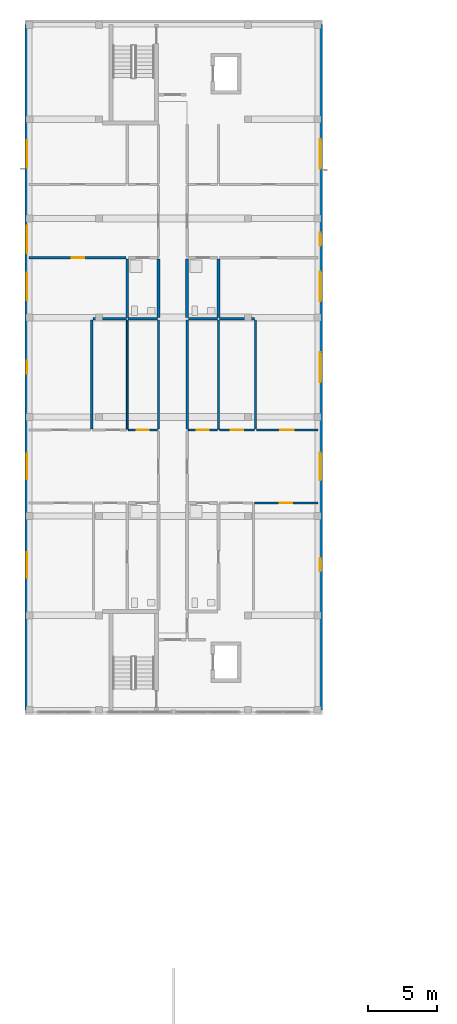
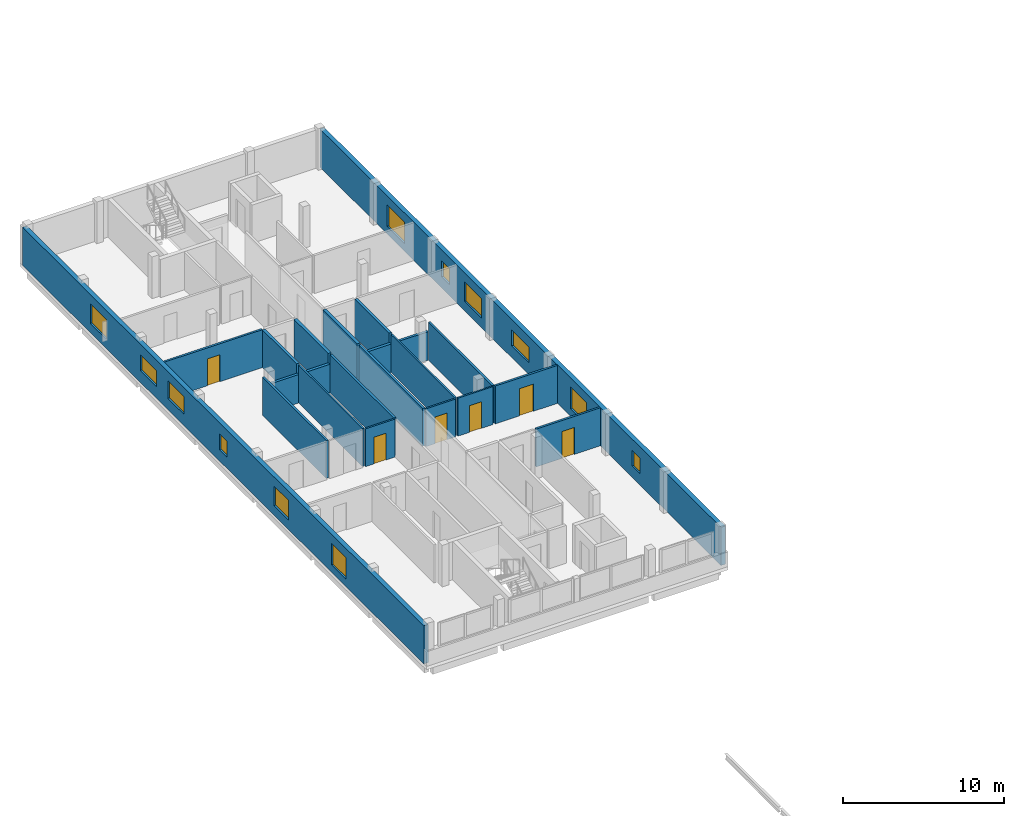
# One storey, part 12 of 28: 22 walls, 12 windows, 6 doors, 18 openings.
"""IFC4 building model written with IfcOpenShell, lengths in metres."""

from ifc_helpers import new_model, si_unit, derived_unit, direction, frame, frame_2d, origin, place, context, subcontext, project, spatial, rectangle, extrude, material, layer, layer_set, type_object, element, fill, save


model = new_model("IFC4")

# Units and contexts
model_context = context("Model", 3, precision=1e-05, world=origin(), true_north=direction((0.0, 1.0)))
body_context = subcontext(model_context, "Body", "Model", "MODEL_VIEW")
ifc_project = project(units=[si_unit("LENGTHUNIT", "METRE"), si_unit("AREAUNIT", "SQUARE_METRE"), si_unit("VOLUMEUNIT", "CUBIC_METRE"), si_unit("PLANEANGLEUNIT", "RADIAN"), si_unit("MASSUNIT", "GRAM", prefix="KILO"), derived_unit("THERMALTRANSMITTANCEUNIT", [(si_unit("MASSUNIT", "GRAM", prefix="KILO"), 1), (si_unit("TIMEUNIT", "SECOND"), -3), (si_unit("THERMODYNAMICTEMPERATUREUNIT", "KELVIN"), -1)])], contexts=[model_context])

# Site, building, storey
site_placement = place(None, origin())
site = spatial("IfcSite", under=ifc_project, at=site_placement, CompositionType="ELEMENT")
building_placement = place(site_placement, origin())
building = spatial("IfcBuilding", under=site, at=building_placement, Name="Ochrekiln Boulevard Commons", CompositionType="ELEMENT")
storey_placement = place(building_placement, frame((0.0, 0.0, 34.125)))
storey = spatial("IfcBuildingStorey", under=building, at=storey_placement, Name="L10", CompositionType="ELEMENT", Elevation=34.125)

# Wall, openings, windows
ifc_material_1 = material(Name="Desert ochre clinker brick masonry ASTM C216 Grade SW", Category="masonry")
ifc_layer_1 = layer(ifc_material_1, 0.320068359375)
ifc_layer_set_1 = layer_set([ifc_layer_1], Name="Desert ochre clinker brick masonry ASTM C216 Grade SW")
wall_type_1 = type_object("IfcWallType", Name="WL-EXT-OCHRE-320", PredefinedType="SOLIDWALL", material=ifc_layer_set_1)
wall_1_placement = place(storey_placement, frame((0.159912109375, 68.719970703125, 0.0), z_axis=(0.0, 0.0, 1.0), x_axis=(0.0, 1.0, 0.0)))
wall_1 = element("IfcWall", 1, at=wall_1_placement, inside=storey, type_object=wall_type_1, Name="Block A L10 W Exterior Wall", PredefinedType="SOLIDWALL", context=body_context, shape_type="SweptSolid", body=[
    extrude(rectangle(XDim=49.760009765625, YDim=0.320068359375, at=frame_2d((24.8798828125, 0.0))), origin(), (0.0, 0.0, 1.0), 2.889892578125),
])
opening_1_placement = place(wall_1_placement, frame((16.7548828125, 0.0, 0.705078125)))
opening_1 = element("IfcOpeningElement", 2, at=opening_1_placement, cuts=wall_1, Name="Opening W-43", PredefinedType="OPENING", context=body_context, shape_type="SweptSolid", body=[
    extrude(rectangle(XDim=1.85009765625, YDim=1.5, at=frame_2d((0.925048828125, 0.75))), frame((0.0, 0.169921875, 0.0), z_axis=(0.0, -1.0, 0.0), x_axis=(1.0, 0.0, 0.0)), (0.0, 0.0, 1.0), 0.340087890625),
])
opening_2_placement = place(wall_1_placement, frame((9.6201171875, 0.0, 0.554931640625)))
opening_2 = element("IfcOpeningElement", 3, at=opening_2_placement, cuts=wall_1, Name="Opening W-44", PredefinedType="OPENING", context=body_context, shape_type="SweptSolid", body=[
    extrude(rectangle(XDim=1.85009765625, YDim=1.64990234375, at=frame_2d((0.925048828125, 0.824951171875))), frame((0.0, 0.169921875, 0.0), z_axis=(0.0, -1.0, 0.0), x_axis=(1.0, 0.0, 0.0)), (0.0, 0.0, 1.0), 0.340087890625),
])
opening_3_placement = place(wall_1_placement, frame((24.405029296875, 0.0, 0.85009765625)))
opening_3 = element("IfcOpeningElement", 4, at=opening_3_placement, cuts=wall_1, Name="Opening W-01", PredefinedType="OPENING", context=body_context, shape_type="SweptSolid", body=[
    extrude(rectangle(XDim=0.949951171875, YDim=1.199951171875, at=frame_2d((0.47509765625, 0.60009765625))), frame((0.0, 0.169921875, 0.0), z_axis=(0.0, -1.0, 0.0), x_axis=(1.0, 0.0, 0.0)), (0.0, 0.0, 1.0), 0.340087890625),
])
opening_4_placement = place(wall_1_placement, frame((33.158935546875, 0.0, 0.89990234375)))
opening_4 = element("IfcOpeningElement", 5, at=opening_4_placement, cuts=wall_1, Name="Opening W-46", PredefinedType="OPENING", context=body_context, shape_type="SweptSolid", body=[
    extrude(rectangle(XDim=2.0, YDim=1.199951171875, at=frame_2d((1.0, 0.60009765625))), frame((0.0, 0.169921875, 0.0), z_axis=(0.0, -1.0, 0.0), x_axis=(1.0, 0.0, 0.0)), (0.0, 0.0, 1.0), 0.340087890625),
])
opening_5_placement = place(wall_1_placement, frame((29.7490234375, 0.0, 0.85498046875)))
opening_5 = element("IfcOpeningElement", 6, at=opening_5_placement, cuts=wall_1, Name="Opening W-47", PredefinedType="OPENING", context=body_context, shape_type="SweptSolid", body=[
    extrude(rectangle(XDim=2.0, YDim=1.35009765625, at=frame_2d((1.0, 0.675048828125))), frame((0.0, 0.169921875, 0.0), z_axis=(0.0, -1.0, 0.0), x_axis=(1.0, 0.0, 0.0)), (0.0, 0.0, 1.0), 0.340087890625),
])
opening_6_placement = place(wall_1_placement, frame((39.35205078125, 0.0, 0.705078125)))
opening_6 = element("IfcOpeningElement", 7, at=opening_6_placement, cuts=wall_1, Name="Opening W-48", PredefinedType="OPENING", context=body_context, shape_type="SweptSolid", body=[
    extrude(rectangle(XDim=2.0, YDim=1.5, at=frame_2d((1.0, 0.75))), frame((0.0, 0.169921875, 0.0), z_axis=(0.0, -1.0, 0.0), x_axis=(1.0, 0.0, 0.0)), (0.0, 0.0, 1.0), 0.340087890625),
])
ifc_material_2 = material(Name="Thermally broken aluminium-clad oak frame", Category="aluminium")
window_type_1 = type_object("IfcWindowType", Name="WIN-EXT-01", PartitioningType="SINGLE_PANEL", PredefinedType="WINDOW", material=ifc_material_2)
window_1_placement = place(opening_3_placement, origin())
window_1 = element("IfcWindow", 8, at=window_1_placement, inside=storey, type_object=window_type_1, Name="Block A L10 Punched Masonry Window W-01", OverallHeight=1.199951171875, OverallWidth=0.949951171875, PartitioningType="SINGLE_PANEL", PredefinedType="WINDOW", context=body_context, shape_type="SweptSolid", body=[
    extrude(rectangle(XDim=0.949951171875, YDim=1.199951171875, at=frame_2d((0.47509765625, 0.60009765625))), frame((0.0, 0.030029296875, 0.0), z_axis=(0.0, -1.0, 0.0), x_axis=(1.0, 0.0, 0.0)), (0.0, 0.0, 1.0), 0.06005859375),
])
fill(opening_3, window_1)
window_type_2 = type_object("IfcWindowType", Name="WIN-EXT-43", PartitioningType="DOUBLE_PANEL_VERTICAL", PredefinedType="WINDOW", material=ifc_material_2)
window_2_placement = place(opening_1_placement, origin())
window_2 = element("IfcWindow", 9, at=window_2_placement, inside=storey, type_object=window_type_2, Name="Block A L10 Punched Masonry Window W-43", OverallHeight=1.5, OverallWidth=1.85009765625, PartitioningType="DOUBLE_PANEL_VERTICAL", PredefinedType="WINDOW", context=body_context, shape_type="SweptSolid", body=[
    extrude(rectangle(XDim=1.85009765625, YDim=1.5, at=frame_2d((0.925048828125, 0.75))), frame((0.0, 0.030029296875, 0.0), z_axis=(0.0, -1.0, 0.0), x_axis=(1.0, 0.0, 0.0)), (0.0, 0.0, 1.0), 0.06005859375),
])
fill(opening_1, window_2)
window_type_3 = type_object("IfcWindowType", Name="WIN-EXT-44", PartitioningType="DOUBLE_PANEL_VERTICAL", PredefinedType="WINDOW", material=ifc_material_2)
window_3_placement = place(opening_2_placement, origin())
window_3 = element("IfcWindow", 10, at=window_3_placement, inside=storey, type_object=window_type_3, Name="Block A L10 Punched Masonry Window W-44", OverallHeight=1.64990234375, OverallWidth=1.85009765625, PartitioningType="DOUBLE_PANEL_VERTICAL", PredefinedType="WINDOW", context=body_context, shape_type="SweptSolid", body=[
    extrude(rectangle(XDim=1.85009765625, YDim=1.64990234375, at=frame_2d((0.925048828125, 0.824951171875))), frame((0.0, 0.030029296875, 0.0), z_axis=(0.0, -1.0, 0.0), x_axis=(1.0, 0.0, 0.0)), (0.0, 0.0, 1.0), 0.06005859375),
])
fill(opening_2, window_3)
window_type_4 = type_object("IfcWindowType", Name="WIN-EXT-46", PartitioningType="DOUBLE_PANEL_VERTICAL", PredefinedType="WINDOW", material=ifc_material_2)
window_4_placement = place(opening_4_placement, origin())
window_4 = element("IfcWindow", 11, at=window_4_placement, inside=storey, type_object=window_type_4, Name="Block A L10 Punched Masonry Window W-46", OverallHeight=1.199951171875, OverallWidth=2.0, PartitioningType="DOUBLE_PANEL_VERTICAL", PredefinedType="WINDOW", context=body_context, shape_type="SweptSolid", body=[
    extrude(rectangle(XDim=2.0, YDim=1.199951171875, at=frame_2d((1.0, 0.60009765625))), frame((0.0, 0.030029296875, 0.0), z_axis=(0.0, -1.0, 0.0), x_axis=(1.0, 0.0, 0.0)), (0.0, 0.0, 1.0), 0.06005859375),
])
fill(opening_4, window_4)
window_type_5 = type_object("IfcWindowType", Name="WIN-EXT-47", PartitioningType="DOUBLE_PANEL_VERTICAL", PredefinedType="WINDOW", material=ifc_material_2)
window_5_placement = place(opening_5_placement, origin())
window_5 = element("IfcWindow", 12, at=window_5_placement, inside=storey, type_object=window_type_5, Name="Block A L10 Punched Masonry Window W-47", OverallHeight=1.35009765625, OverallWidth=2.0, PartitioningType="DOUBLE_PANEL_VERTICAL", PredefinedType="WINDOW", context=body_context, shape_type="SweptSolid", body=[
    extrude(rectangle(XDim=2.0, YDim=1.35009765625, at=frame_2d((1.0, 0.675048828125))), frame((0.0, 0.030029296875, 0.0), z_axis=(0.0, -1.0, 0.0), x_axis=(1.0, 0.0, 0.0)), (0.0, 0.0, 1.0), 0.06005859375),
])
fill(opening_5, window_5)
window_type_6 = type_object("IfcWindowType", Name="WIN-EXT-48", PartitioningType="DOUBLE_PANEL_VERTICAL", PredefinedType="WINDOW", material=ifc_material_2)
window_6_placement = place(opening_6_placement, origin())
window_6 = element("IfcWindow", 13, at=window_6_placement, inside=storey, type_object=window_type_6, Name="Block A L10 Punched Masonry Window W-48", OverallHeight=1.5, OverallWidth=2.0, PartitioningType="DOUBLE_PANEL_VERTICAL", PredefinedType="WINDOW", context=body_context, shape_type="SweptSolid", body=[
    extrude(rectangle(XDim=2.0, YDim=1.5, at=frame_2d((1.0, 0.75))), frame((0.0, 0.030029296875, 0.0), z_axis=(0.0, -1.0, 0.0), x_axis=(1.0, 0.0, 0.0)), (0.0, 0.0, 1.0), 0.06005859375),
])
fill(opening_6, window_6)

wall_2_placement = place(storey_placement, frame((21.43994140625, 68.719970703125, 0.0), z_axis=(0.0, 0.0, 1.0), x_axis=(0.0, 1.0, 0.0)))
wall_2 = element("IfcWall", 14, at=wall_2_placement, inside=storey, type_object=wall_type_1, Name="Block A L10 E Exterior Wall", PredefinedType="SOLIDWALL", context=body_context, shape_type="SweptSolid", body=[
    extrude(rectangle(XDim=49.760009765625, YDim=0.320068359375, at=frame_2d((24.8798828125, 0.0))), origin(), (0.0, 0.0, 1.0), 2.889892578125),
])
opening_7_placement = place(wall_2_placement, frame((16.679931640625, 0.0, 0.554931640625)))
opening_7 = element("IfcOpeningElement", 15, at=opening_7_placement, cuts=wall_2, Name="Opening W-49", PredefinedType="OPENING", context=body_context, shape_type="SweptSolid", body=[
    extrude(rectangle(XDim=2.0, YDim=1.64990234375, at=frame_2d((1.0, 0.824951171875))), frame((0.0, 0.169921875, 0.0), z_axis=(0.0, -1.0, 0.0), x_axis=(1.0, 0.0, 0.0)), (0.0, 0.0, 1.0), 0.340087890625),
])
opening_8_placement = place(wall_2_placement, frame((10.070068359375, 0.0, 0.85009765625)))
opening_8 = element("IfcOpeningElement", 16, at=opening_8_placement, cuts=wall_2, Name="Opening W-01", PredefinedType="OPENING", context=body_context, shape_type="SweptSolid", body=[
    extrude(rectangle(XDim=0.949951171875, YDim=1.199951171875, at=frame_2d((0.47509765625, 0.60009765625))), frame((0.0, 0.169921875, 0.0), z_axis=(0.0, -1.0, 0.0), x_axis=(1.0, 0.0, 0.0)), (0.0, 0.0, 1.0), 0.340087890625),
])
opening_9_placement = place(wall_2_placement, frame((23.804931640625, 0.0, 0.89990234375)))
opening_9 = element("IfcOpeningElement", 17, at=opening_9_placement, cuts=wall_2, Name="Opening W-51", PredefinedType="OPENING", context=body_context, shape_type="SweptSolid", body=[
    extrude(rectangle(XDim=2.14990234375, YDim=1.199951171875, at=frame_2d((1.074951171875, 0.60009765625))), frame((0.0, 0.169921875, 0.0), z_axis=(0.0, -1.0, 0.0), x_axis=(1.0, 0.0, 0.0)), (0.0, 0.0, 1.0), 0.340087890625),
])
opening_10_placement = place(wall_2_placement, frame((33.68408203125, 0.0, 0.85009765625)))
opening_10 = element("IfcOpeningElement", 18, at=opening_10_placement, cuts=wall_2, Name="Opening W-01", PredefinedType="OPENING", context=body_context, shape_type="SweptSolid", body=[
    extrude(rectangle(XDim=0.949951171875, YDim=1.199951171875, at=frame_2d((0.47509765625, 0.60009765625))), frame((0.0, 0.169921875, 0.0), z_axis=(0.0, -1.0, 0.0), x_axis=(1.0, 0.0, 0.0)), (0.0, 0.0, 1.0), 0.340087890625),
])
opening_11_placement = place(wall_2_placement, frame((29.674072265625, 0.0, 0.705078125)))
opening_11 = element("IfcOpeningElement", 19, at=opening_11_placement, cuts=wall_2, Name="Opening W-53", PredefinedType="OPENING", context=body_context, shape_type="SweptSolid", body=[
    extrude(rectangle(XDim=2.14990234375, YDim=1.5, at=frame_2d((1.074951171875, 0.75))), frame((0.0, 0.169921875, 0.0), z_axis=(0.0, -1.0, 0.0), x_axis=(1.0, 0.0, 0.0)), (0.0, 0.0, 1.0), 0.340087890625),
])
opening_12_placement = place(wall_2_placement, frame((39.27587890625, 0.0, 0.554931640625)))
opening_12 = element("IfcOpeningElement", 20, at=opening_12_placement, cuts=wall_2, Name="Opening W-54", PredefinedType="OPENING", context=body_context, shape_type="SweptSolid", body=[
    extrude(rectangle(XDim=2.14990234375, YDim=1.64990234375, at=frame_2d((1.074951171875, 0.824951171875))), frame((0.0, 0.169921875, 0.0), z_axis=(0.0, -1.0, 0.0), x_axis=(1.0, 0.0, 0.0)), (0.0, 0.0, 1.0), 0.340087890625),
])
window_7_placement = place(opening_8_placement, origin())
window_7 = element("IfcWindow", 21, at=window_7_placement, inside=storey, type_object=window_type_1, Name="Block A L10 Punched Masonry Window W-01", OverallHeight=1.199951171875, OverallWidth=0.949951171875, PartitioningType="SINGLE_PANEL", PredefinedType="WINDOW", context=body_context, shape_type="SweptSolid", body=[
    extrude(rectangle(XDim=0.949951171875, YDim=1.199951171875, at=frame_2d((0.47509765625, 0.60009765625))), frame((0.0, 0.030029296875, 0.0), z_axis=(0.0, -1.0, 0.0), x_axis=(1.0, 0.0, 0.0)), (0.0, 0.0, 1.0), 0.06005859375),
])
fill(opening_8, window_7)
window_8_placement = place(opening_10_placement, origin())
window_8 = element("IfcWindow", 22, at=window_8_placement, inside=storey, type_object=window_type_1, Name="Block A L10 Punched Masonry Window W-01", OverallHeight=1.199951171875, OverallWidth=0.949951171875, PartitioningType="SINGLE_PANEL", PredefinedType="WINDOW", context=body_context, shape_type="SweptSolid", body=[
    extrude(rectangle(XDim=0.949951171875, YDim=1.199951171875, at=frame_2d((0.47509765625, 0.60009765625))), frame((0.0, 0.030029296875, 0.0), z_axis=(0.0, -1.0, 0.0), x_axis=(1.0, 0.0, 0.0)), (0.0, 0.0, 1.0), 0.06005859375),
])
fill(opening_10, window_8)
window_type_7 = type_object("IfcWindowType", Name="WIN-EXT-49", PartitioningType="DOUBLE_PANEL_VERTICAL", PredefinedType="WINDOW", material=ifc_material_2)
window_9_placement = place(opening_7_placement, origin())
window_9 = element("IfcWindow", 23, at=window_9_placement, inside=storey, type_object=window_type_7, Name="Block A L10 Punched Masonry Window W-49", OverallHeight=1.64990234375, OverallWidth=2.0, PartitioningType="DOUBLE_PANEL_VERTICAL", PredefinedType="WINDOW", context=body_context, shape_type="SweptSolid", body=[
    extrude(rectangle(XDim=2.0, YDim=1.64990234375, at=frame_2d((1.0, 0.824951171875))), frame((0.0, 0.030029296875, 0.0), z_axis=(0.0, -1.0, 0.0), x_axis=(1.0, 0.0, 0.0)), (0.0, 0.0, 1.0), 0.06005859375),
])
fill(opening_7, window_9)
window_type_8 = type_object("IfcWindowType", Name="WIN-EXT-51", PartitioningType="DOUBLE_PANEL_VERTICAL", PredefinedType="WINDOW", material=ifc_material_2)
window_10_placement = place(opening_9_placement, origin())
window_10 = element("IfcWindow", 24, at=window_10_placement, inside=storey, type_object=window_type_8, Name="Block A L10 Punched Masonry Window W-51", OverallHeight=1.199951171875, OverallWidth=2.14990234375, PartitioningType="DOUBLE_PANEL_VERTICAL", PredefinedType="WINDOW", context=body_context, shape_type="SweptSolid", body=[
    extrude(rectangle(XDim=2.14990234375, YDim=1.199951171875, at=frame_2d((1.074951171875, 0.60009765625))), frame((0.0, 0.030029296875, 0.0), z_axis=(0.0, -1.0, 0.0), x_axis=(1.0, 0.0, 0.0)), (0.0, 0.0, 1.0), 0.06005859375),
])
fill(opening_9, window_10)
window_type_9 = type_object("IfcWindowType", Name="WIN-EXT-53", PartitioningType="DOUBLE_PANEL_VERTICAL", PredefinedType="WINDOW", material=ifc_material_2)
window_11_placement = place(opening_11_placement, origin())
window_11 = element("IfcWindow", 25, at=window_11_placement, inside=storey, type_object=window_type_9, Name="Block A L10 Punched Masonry Window W-53", OverallHeight=1.5, OverallWidth=2.14990234375, PartitioningType="DOUBLE_PANEL_VERTICAL", PredefinedType="WINDOW", context=body_context, shape_type="SweptSolid", body=[
    extrude(rectangle(XDim=2.14990234375, YDim=1.5, at=frame_2d((1.074951171875, 0.75))), frame((0.0, 0.030029296875, 0.0), z_axis=(0.0, -1.0, 0.0), x_axis=(1.0, 0.0, 0.0)), (0.0, 0.0, 1.0), 0.06005859375),
])
fill(opening_11, window_11)
window_type_10 = type_object("IfcWindowType", Name="WIN-EXT-54", PartitioningType="DOUBLE_PANEL_VERTICAL", PredefinedType="WINDOW", material=ifc_material_2)
window_12_placement = place(opening_12_placement, origin())
window_12 = element("IfcWindow", 26, at=window_12_placement, inside=storey, type_object=window_type_10, Name="Block A L10 Punched Masonry Window W-54", OverallHeight=1.64990234375, OverallWidth=2.14990234375, PartitioningType="DOUBLE_PANEL_VERTICAL", PredefinedType="WINDOW", context=body_context, shape_type="SweptSolid", body=[
    extrude(rectangle(XDim=2.14990234375, YDim=1.64990234375, at=frame_2d((1.074951171875, 0.824951171875))), frame((0.0, 0.030029296875, 0.0), z_axis=(0.0, -1.0, 0.0), x_axis=(1.0, 0.0, 0.0)), (0.0, 0.0, 1.0), 0.06005859375),
])
fill(opening_12, window_12)

# Walls
ifc_material_3 = material(Name="Moisture-resistant cementitious tile backer wall")
ifc_layer_2 = layer(ifc_material_3, 0.199951171875)
ifc_layer_set_2 = layer_set([ifc_layer_2], Name="Moisture-resistant cementitious tile backer wall")
wall_type_2 = type_object("IfcWallType", Name="WL-PLM-200", PredefinedType="PLUMBINGWALL", material=ifc_layer_set_2)
wall_3_placement = place(storey_placement, frame((7.5, 97.1201171875, 0.0), z_axis=(0.0, 0.0, 1.0), x_axis=(1.0, 0.0, 0.0)))
element("IfcWall", 27, at=wall_3_placement, inside=storey, type_object=wall_type_2, Name="L10 Interior Wall W-PW200", PredefinedType="PLUMBINGWALL", context=body_context, shape_type="SweptSolid", body=[
    extrude(rectangle(XDim=2.1279296875, YDim=0.199951171875, at=frame_2d((1.06396484375, 0.0))), origin(), (0.0, 0.0, 1.0), 2.159912109375),
])
wall_4_placement = place(storey_placement, frame((7.43994140625, 97.2099609375, 0.0), z_axis=(0.0, 0.0, 1.0), x_axis=(0.0, 1.0, 0.0)))
element("IfcWall", 28, at=wall_4_placement, inside=storey, type_object=wall_type_2, Name="L10 Interior Wall W-PW200", PredefinedType="PLUMBINGWALL", context=body_context, shape_type="SweptSolid", body=[
    extrude(rectangle(XDim=4.257080078125, YDim=0.199951171875, at=frame_2d((2.12841796875, 0.0))), origin(), (0.0, 0.0, 1.0), 2.8701171875),
])
wall_5_placement = place(storey_placement, frame((11.8720703125, 97.1201171875, 0.0), z_axis=(0.0, 0.0, 1.0), x_axis=(1.0, 0.0, 0.0)))
element("IfcWall", 29, at=wall_5_placement, inside=storey, type_object=wall_type_2, Name="L10 Interior Wall W-PW200", PredefinedType="PLUMBINGWALL", context=body_context, shape_type="SweptSolid", body=[
    extrude(rectangle(XDim=2.1279296875, YDim=0.199951171875, at=frame_2d((1.06396484375, 0.0))), origin(), (0.0, 0.0, 1.0), 2.159912109375),
])
wall_6_placement = place(storey_placement, frame((14.06005859375, 97.2099609375, 0.0), z_axis=(0.0, 0.0, 1.0), x_axis=(0.0, 1.0, 0.0)))
element("IfcWall", 30, at=wall_6_placement, inside=storey, type_object=wall_type_2, Name="L10 Interior Wall W-PW200", PredefinedType="PLUMBINGWALL", context=body_context, shape_type="SweptSolid", body=[
    extrude(rectangle(XDim=4.257080078125, YDim=0.199951171875, at=frame_2d((2.12841796875, 0.0))), origin(), (0.0, 0.0, 1.0), 2.8701171875),
])
ifc_layer_3 = layer(ifc_material_3, 0.219970703125)
ifc_layer_set_3 = layer_set([ifc_layer_3], Name="Moisture-resistant cementitious tile backer wall")
wall_type_3 = type_object("IfcWallType", Name="WL-PLM-220", PredefinedType="PLUMBINGWALL", material=ifc_layer_set_3)
for number, where, z_axis, x_axis, name in (
    (31, (9.7099609375, 97.2099609375, 0.0), (0.0, 0.0, 1.0), (0.0, 1.0, 0.0), "L10 Interior Wall W-PW220"),
    (32, (11.7900390625, 97.2099609375, 0.0), (0.0, 0.0, 1.0), (0.0, 1.0, 0.0), "L10 Interior Wall W-PW220"),
):
    element("IfcWall", number, at=place(storey_placement, frame(where, z_axis=z_axis, x_axis=x_axis)), inside=storey, type_object=wall_type_3, Name=name, PredefinedType="PLUMBINGWALL", context=body_context, shape_type="SweptSolid", body=[
        extrude(rectangle(XDim=4.257080078125, YDim=0.219970703125, at=frame_2d((2.12841796875, 0.0))), origin(), (0.0, 0.0, 1.0), 2.8701171875),
    ])
ifc_material_4 = material(Name="Fire-rated Type X gypsum board on steel studs", Category="steel")
ifc_layer_4 = layer(ifc_material_4, 0.1650390625)
ifc_layer_set_4 = layer_set([ifc_layer_4], Name="Fire-rated Type X gypsum board on steel studs")
wall_type_4 = type_object("IfcWallType", Name="WL-PT-CORR-165", PredefinedType="PARTITIONING", material=ifc_layer_set_4)
for number, where, z_axis, x_axis, name in (
    (33, (9.7099609375, 89.1298828125, 0.0), (0.0, 0.0, 1.0), (0.0, 1.0, 0.0), "L10 Interior Wall W-PC165"),
    (34, (11.7900390625, 89.1298828125, 0.0), (0.0, 0.0, 1.0), (0.0, 1.0, 0.0), "L10 Interior Wall W-PC165"),
):
    element("IfcWall", number, at=place(storey_placement, frame(where, z_axis=z_axis, x_axis=x_axis)), inside=storey, type_object=wall_type_4, Name=name, PredefinedType="PARTITIONING", context=body_context, shape_type="SweptSolid", body=[
        extrude(rectangle(XDim=7.900146484375, YDim=0.1650390625, at=frame_2d((3.9501953125, 0.0))), origin(), (0.0, 0.0, 1.0), 2.8701171875),
    ])
ifc_layer_5 = layer(ifc_material_4, 0.179931640625)
ifc_layer_set_5 = layer_set([ifc_layer_5], Name="Fire-rated Type X gypsum board on steel studs")
wall_type_5 = type_object("IfcWallType", Name="WL-PT-DEM-180", PredefinedType="PARTITIONING", material=ifc_layer_set_5)
wall_7_placement = place(storey_placement, frame((4.93994140625, 97.1201171875, 0.0), z_axis=(0.0, 0.0, 1.0), x_axis=(1.0, 0.0, 0.0)))
element("IfcWall", 35, at=wall_7_placement, inside=storey, type_object=wall_type_5, Name="L10 Interior Wall W-PD180", PredefinedType="PARTITIONING", context=body_context, shape_type="SweptSolid", body=[
    extrude(rectangle(XDim=2.43994140625, YDim=0.179931640625, at=frame_2d((1.219970703125, 0.0))), origin(), (0.0, 0.0, 1.0), 2.159912109375),
])
wall_8_placement = place(storey_placement, frame((14.1201171875, 97.1201171875, 0.0), z_axis=(0.0, 0.0, 1.0), x_axis=(1.0, 0.0, 0.0)))
element("IfcWall", 36, at=wall_8_placement, inside=storey, type_object=wall_type_5, Name="L10 Interior Wall W-PD180", PredefinedType="PARTITIONING", context=body_context, shape_type="SweptSolid", body=[
    extrude(rectangle(XDim=2.539794921875, YDim=0.179931640625, at=frame_2d((1.27001953125, 0.0))), origin(), (0.0, 0.0, 1.0), 2.159912109375),
])

# Wall, opening, door
ifc_layer_6 = layer(ifc_material_4, 0.1201171875)
ifc_layer_set_6 = layer_set([ifc_layer_6], Name="Fire-rated Type X gypsum board on steel studs")
wall_type_6 = type_object("IfcWallType", Name="WL-PT-LGT-120", PredefinedType="PARTITIONING", material=ifc_layer_set_6)
wall_9_placement = place(storey_placement, frame((7.52001953125, 89.050048828125, 0.0), z_axis=(0.0, 0.0, 1.0), x_axis=(1.0, 0.0, 0.0)))
wall_9 = element("IfcWall", 37, at=wall_9_placement, inside=storey, type_object=wall_type_6, Name="L10 Interior Wall W-PL120", PredefinedType="PARTITIONING", context=body_context, shape_type="SweptSolid", body=[
    extrude(rectangle(XDim=2.10791015625, YDim=0.1201171875, at=frame_2d((1.053955078125, 0.0))), origin(), (0.0, 0.0, 1.0), 2.8701171875),
])
opening_13_placement = place(wall_9_placement, frame((0.610107421875, 0.0, 0.0)))
opening_13 = element("IfcOpeningElement", 38, at=opening_13_placement, cuts=wall_9, Name="Opening D-L10-1174", PredefinedType="OPENING", context=body_context, shape_type="SweptSolid", body=[
    extrude(rectangle(XDim=0.8798828125, YDim=2.02001953125, at=frame_2d((0.43994140625, 1.010009765625))), frame((0.0, 0.070068359375, 0.0), z_axis=(0.0, -1.0, 0.0), x_axis=(1.0, 0.0, 0.0)), (0.0, 0.0, 1.0), 0.14013671875),
])
ifc_material_5 = material(Name="Solid core architectural oak door leaf")
door_type_1 = type_object("IfcDoorType", Name="DR-INT-KIT-088", OperationType="NOTDEFINED", PredefinedType="DOOR", material=ifc_material_5)
door_1_placement = place(opening_13_placement, origin())
door_1 = element("IfcDoor", 39, at=door_1_placement, inside=storey, type_object=door_type_1, Name="L10 Interior Door to Apartment Kitchen", OperationType="SINGLE_SWING_RIGHT", OverallHeight=2.02001953125, OverallWidth=0.8798828125, PredefinedType="DOOR", context=body_context, shape_type="SweptSolid", body=[
    extrude(rectangle(XDim=0.8798828125, YDim=2.02001953125, at=frame_2d((0.43994140625, 1.010009765625))), frame((0.0, 0.02490234375, 0.0), z_axis=(0.0, -1.0, 0.0), x_axis=(1.0, 0.0, 0.0)), (0.0, 0.0, 1.0), 0.050048828125),
])
fill(opening_13, door_1)

# Wall
wall_10_placement = place(storey_placement, frame((7.43994140625, 89.110107421875, 0.0), z_axis=(0.0, 0.0, 1.0), x_axis=(0.0, 1.0, 0.0)))
element("IfcWall", 40, at=wall_10_placement, inside=storey, type_object=wall_type_6, Name="L10 Interior Wall W-PL120", PredefinedType="PARTITIONING", context=body_context, shape_type="SweptSolid", body=[
    extrude(rectangle(XDim=7.919921875, YDim=0.1201171875, at=frame_2d((3.9599609375, 0.0))), origin(), (0.0, 0.0, 1.0), 2.8701171875),
])

# Wall, opening, door
wall_11_placement = place(storey_placement, frame((11.8720703125, 89.050048828125, 0.0), z_axis=(0.0, 0.0, 1.0), x_axis=(1.0, 0.0, 0.0)))
wall_11 = element("IfcWall", 41, at=wall_11_placement, inside=storey, type_object=wall_type_6, Name="L10 Interior Wall W-PL120", PredefinedType="PARTITIONING", context=body_context, shape_type="SweptSolid", body=[
    extrude(rectangle(XDim=2.10791015625, YDim=0.1201171875, at=frame_2d((1.053955078125, 0.0))), origin(), (0.0, 0.0, 1.0), 2.8701171875),
])
opening_14_placement = place(wall_11_placement, frame((0.617919921875, 0.0, 0.0)))
opening_14 = element("IfcOpeningElement", 42, at=opening_14_placement, cuts=wall_11, Name="Opening D-L10-1185", PredefinedType="OPENING", context=body_context, shape_type="SweptSolid", body=[
    extrude(rectangle(XDim=0.8798828125, YDim=2.02001953125, at=frame_2d((0.43994140625, 1.010009765625))), frame((0.0, 0.070068359375, 0.0), z_axis=(0.0, -1.0, 0.0), x_axis=(1.0, 0.0, 0.0)), (0.0, 0.0, 1.0), 0.14013671875),
])
door_2_placement = place(opening_14_placement, origin())
door_2 = element("IfcDoor", 43, at=door_2_placement, inside=storey, type_object=door_type_1, Name="L10 Interior Door to Apartment Kitchen", OperationType="SINGLE_SWING_LEFT", OverallHeight=2.02001953125, OverallWidth=0.8798828125, PredefinedType="DOOR", context=body_context, shape_type="SweptSolid", body=[
    extrude(rectangle(XDim=0.8798828125, YDim=2.02001953125, at=frame_2d((0.43994140625, 1.010009765625))), frame((0.0, 0.02490234375, 0.0), z_axis=(0.0, -1.0, 0.0), x_axis=(1.0, 0.0, 0.0)), (0.0, 0.0, 1.0), 0.050048828125),
])
fill(opening_14, door_2)

wall_12_placement = place(storey_placement, frame((14.139892578125, 89.050048828125, 0.0), z_axis=(0.0, 0.0, 1.0), x_axis=(1.0, 0.0, 0.0)))
wall_12 = element("IfcWall", 44, at=wall_12_placement, inside=storey, type_object=wall_type_6, Name="L10 Interior Wall W-PL120", PredefinedType="PARTITIONING", context=body_context, shape_type="SweptSolid", body=[
    extrude(rectangle(XDim=2.52001953125, YDim=0.1201171875, at=frame_2d((1.260009765625, 0.0))), origin(), (0.0, 0.0, 1.0), 2.8701171875),
])
opening_15_placement = place(wall_12_placement, frame((0.820068359375, 0.0, 0.0)))
opening_15 = element("IfcOpeningElement", 45, at=opening_15_placement, cuts=wall_12, Name="Opening D-L10-1189", PredefinedType="OPENING", context=body_context, shape_type="SweptSolid", body=[
    extrude(rectangle(XDim=0.8798828125, YDim=2.02001953125, at=frame_2d((0.43994140625, 1.010009765625))), frame((0.0, 0.070068359375, 0.0), z_axis=(0.0, -1.0, 0.0), x_axis=(1.0, 0.0, 0.0)), (0.0, 0.0, 1.0), 0.14013671875),
])
door_3_placement = place(opening_15_placement, origin())
door_3 = element("IfcDoor", 46, at=door_3_placement, inside=storey, type_object=door_type_1, Name="L10 Interior Door to Apartment Walk-In Wardrobe", OperationType="SINGLE_SWING_LEFT", OverallHeight=2.02001953125, OverallWidth=0.8798828125, PredefinedType="DOOR", context=body_context, shape_type="SweptSolid", body=[
    extrude(rectangle(XDim=0.8798828125, YDim=2.02001953125, at=frame_2d((0.43994140625, 1.010009765625))), frame((0.0, 0.02490234375, 0.0), z_axis=(0.0, -1.0, 0.0), x_axis=(1.0, 0.0, 0.0)), (0.0, 0.0, 1.0), 0.050048828125),
])
fill(opening_15, door_3)

# Walls
wall_13_placement = place(storey_placement, frame((14.06005859375, 89.110107421875, 0.0), z_axis=(0.0, 0.0, 1.0), x_axis=(0.0, 1.0, 0.0)))
element("IfcWall", 47, at=wall_13_placement, inside=storey, type_object=wall_type_6, Name="L10 Interior Wall W-PL120", PredefinedType="PARTITIONING", context=body_context, shape_type="SweptSolid", body=[
    extrude(rectangle(XDim=7.919921875, YDim=0.1201171875, at=frame_2d((3.9599609375, 0.0))), origin(), (0.0, 0.0, 1.0), 2.8701171875),
])
ifc_layer_7 = layer(ifc_material_4, 0.14990234375)
ifc_layer_set_7 = layer_set([ifc_layer_7], Name="Fire-rated Type X gypsum board on steel studs")
wall_type_7 = type_object("IfcWallType", Name="WL-PT-STD-150", PredefinedType="PARTITIONING", material=ifc_layer_set_7)
wall_14_placement = place(storey_placement, frame((4.860107421875, 89.110107421875, 0.0), z_axis=(0.0, 0.0, 1.0), x_axis=(0.0, 1.0, 0.0)))
element("IfcWall", 48, at=wall_14_placement, inside=storey, type_object=wall_type_7, Name="L10 Interior Wall W-PS150", PredefinedType="PARTITIONING", context=body_context, shape_type="SweptSolid", body=[
    extrude(rectangle(XDim=7.919921875, YDim=0.14990234375, at=frame_2d((3.9599609375, 0.0))), origin(), (0.0, 0.0, 1.0), 2.8701171875),
])

# Wall, opening, door
wall_15_placement = place(storey_placement, frame((0.320068359375, 101.547119140625, 0.0), z_axis=(0.0, 0.0, 1.0), x_axis=(1.0, 0.0, 0.0)))
wall_15 = element("IfcWall", 49, at=wall_15_placement, inside=storey, type_object=wall_type_7, Name="L10 Interior Wall W-PS150", PredefinedType="PARTITIONING", context=body_context, shape_type="SweptSolid", body=[
    extrude(rectangle(XDim=7.0400390625, YDim=0.14990234375, at=frame_2d((3.52001953125, 0.0))), origin(), (0.0, 0.0, 1.0), 2.8701171875),
])
opening_16_placement = place(wall_15_placement, frame((3.0849609375, 0.0, 0.0)))
opening_16 = element("IfcOpeningElement", 50, at=opening_16_placement, cuts=wall_15, Name="Opening D-L10-1182", PredefinedType="OPENING", context=body_context, shape_type="SweptSolid", body=[
    extrude(rectangle(XDim=0.89990234375, YDim=2.0400390625, at=frame_2d((0.449951171875, 1.02001953125))), frame((0.0, 0.0849609375, 0.0), z_axis=(0.0, -1.0, 0.0), x_axis=(1.0, 0.0, 0.0)), (0.0, 0.0, 1.0), 0.169921875),
])
door_type_2 = type_object("IfcDoorType", Name="DR-INT-BED-090", OperationType="NOTDEFINED", PredefinedType="DOOR", material=ifc_material_5)
door_4_placement = place(opening_16_placement, frame((0.89990234375, 0.0, 0.0), z_axis=(0.0, 0.0, 1.0), x_axis=(-1.0, 0.0, 0.0)))
door_4 = element("IfcDoor", 51, at=door_4_placement, inside=storey, type_object=door_type_2, Name="L10 Interior Door to Primary Apartment Bedroom", OperationType="SINGLE_SWING_RIGHT", OverallHeight=2.0400390625, OverallWidth=0.89990234375, PredefinedType="DOOR", context=body_context, shape_type="SweptSolid", body=[
    extrude(rectangle(XDim=0.89990234375, YDim=2.0400390625, at=frame_2d((0.449951171875, 1.02001953125))), frame((0.0, 0.02490234375, 0.0), z_axis=(0.0, -1.0, 0.0), x_axis=(1.0, 0.0, 0.0)), (0.0, 0.0, 1.0), 0.050048828125),
])
fill(opening_16, door_4)

wall_16_placement = place(storey_placement, frame((16.68701171875, 83.75, 0.0), z_axis=(0.0, 0.0, 1.0), x_axis=(1.0, 0.0, 0.0)))
wall_16 = element("IfcWall", 52, at=wall_16_placement, inside=storey, type_object=wall_type_7, Name="L10 Interior Wall W-PS150", PredefinedType="PARTITIONING", context=body_context, shape_type="SweptSolid", body=[
    extrude(rectangle(XDim=4.593017578125, YDim=0.14990234375, at=frame_2d((2.29638671875, 0.0))), origin(), (0.0, 0.0, 1.0), 2.8701171875),
])
opening_17_placement = place(wall_16_placement, frame((1.8310546875, 0.0, 0.0)))
opening_17 = element("IfcOpeningElement", 53, at=opening_17_placement, cuts=wall_16, Name="Opening D-L10-1186", PredefinedType="OPENING", context=body_context, shape_type="SweptSolid", body=[
    extrude(rectangle(XDim=0.89990234375, YDim=2.0400390625, at=frame_2d((0.449951171875, 1.02001953125))), frame((0.0, 0.0849609375, 0.0), z_axis=(0.0, -1.0, 0.0), x_axis=(1.0, 0.0, 0.0)), (0.0, 0.0, 1.0), 0.169921875),
])
door_5_placement = place(opening_17_placement, frame((0.89990234375, 0.0, 0.0), z_axis=(0.0, 0.0, 1.0), x_axis=(-1.0, 0.0, 0.0)))
door_5 = element("IfcDoor", 54, at=door_5_placement, inside=storey, type_object=door_type_2, Name="L10 Interior Door to Primary Apartment Bedroom", OperationType="SINGLE_SWING_RIGHT", OverallHeight=2.0400390625, OverallWidth=0.89990234375, PredefinedType="DOOR", context=body_context, shape_type="SweptSolid", body=[
    extrude(rectangle(XDim=0.89990234375, YDim=2.0400390625, at=frame_2d((0.449951171875, 1.02001953125))), frame((0.0, 0.02490234375, 0.0), z_axis=(0.0, -1.0, 0.0), x_axis=(1.0, 0.0, 0.0)), (0.0, 0.0, 1.0), 0.050048828125),
])
fill(opening_17, door_5)

wall_17_placement = place(storey_placement, frame((16.820068359375, 89.050048828125, 0.0), z_axis=(0.0, 0.0, 1.0), x_axis=(1.0, 0.0, 0.0)))
wall_17 = element("IfcWall", 55, at=wall_17_placement, inside=storey, type_object=wall_type_7, Name="L10 Interior Wall W-PS150", PredefinedType="PARTITIONING", context=body_context, shape_type="SweptSolid", body=[
    extrude(rectangle(XDim=4.4599609375, YDim=0.14990234375, at=frame_2d((2.22998046875, 0.0))), origin(), (0.0, 0.0, 1.0), 2.8701171875),
])
opening_18_placement = place(wall_17_placement, frame((1.715087890625, 0.0, 0.0)))
opening_18 = element("IfcOpeningElement", 56, at=opening_18_placement, cuts=wall_17, Name="Opening D-L10-1188", PredefinedType="OPENING", context=body_context, shape_type="SweptSolid", body=[
    extrude(rectangle(XDim=1.0, YDim=2.06005859375, at=frame_2d((0.5, 1.030029296875))), frame((0.0, 0.0849609375, 0.0), z_axis=(0.0, -1.0, 0.0), x_axis=(1.0, 0.0, 0.0)), (0.0, 0.0, 1.0), 0.169921875),
])
door_type_3 = type_object("IfcDoorType", Name="DR-INT-BED-100", OperationType="NOTDEFINED", PredefinedType="DOOR", material=ifc_material_5)
door_6_placement = place(opening_18_placement, origin())
door_6 = element("IfcDoor", 57, at=door_6_placement, inside=storey, type_object=door_type_3, Name="L10 Interior Door to Secondary Apartment Bedroom", OperationType="SINGLE_SWING_RIGHT", OverallHeight=2.06005859375, OverallWidth=1.0, PredefinedType="DOOR", context=body_context, shape_type="SweptSolid", body=[
    extrude(rectangle(XDim=1.0, YDim=2.06005859375, at=frame_2d((0.5, 1.030029296875))), frame((0.0, 0.02490234375, 0.0), z_axis=(0.0, -1.0, 0.0), x_axis=(1.0, 0.0, 0.0)), (0.0, 0.0, 1.0), 0.050048828125),
])
fill(opening_18, door_6)

# Wall
wall_18_placement = place(storey_placement, frame((16.739990234375, 89.110107421875, 0.0), z_axis=(0.0, 0.0, 1.0), x_axis=(0.0, 1.0, 0.0)))
element("IfcWall", 58, at=wall_18_placement, inside=storey, type_object=wall_type_7, Name="L10 Interior Wall W-PS150", PredefinedType="PARTITIONING", context=body_context, shape_type="SweptSolid", body=[
    extrude(rectangle(XDim=7.919921875, YDim=0.14990234375, at=frame_2d((3.9599609375, 0.0))), origin(), (0.0, 0.0, 1.0), 2.8701171875),
])

save(model, "model.ifc")
